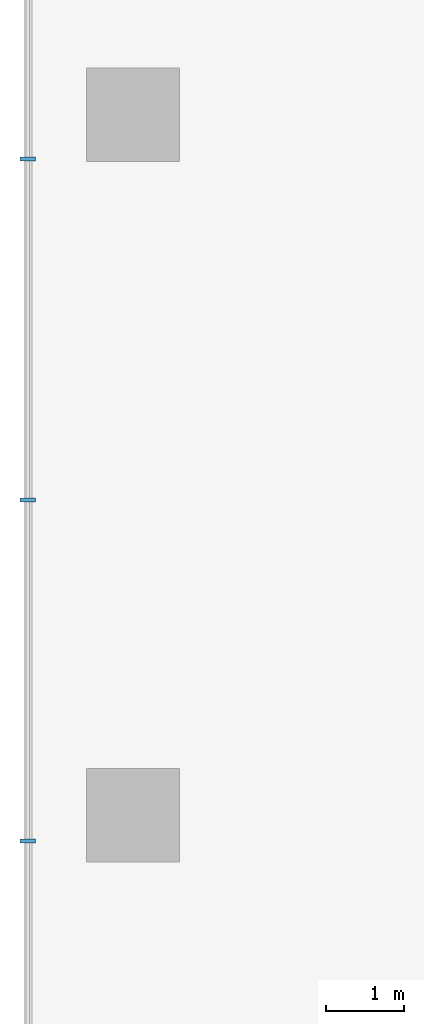
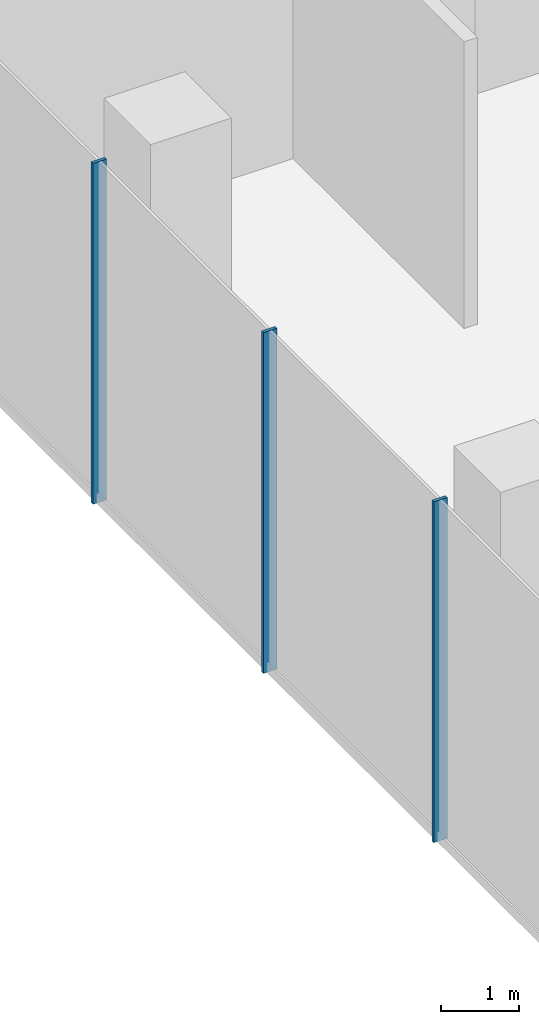
# One storey, part 3 of 36: 3 members, 1 element without a shape of its own.
"""IFC4 building model written with IfcOpenShell, lengths in metres."""

from ifc_helpers import new_model, si_unit, direction, frame, origin, origin_2d, place, context, subcontext, project, spatial, rectangle, extrude, material, layer, layer_set, material_profile, profile_set, type_object, element, aggregate, save


model = new_model("IFC4")

# Units and contexts
model_context = context("Model", 3, precision=1e-05, world=origin(), true_north=direction((0.0, 1.0)))
body_context = subcontext(model_context, "Body", "Model", "MODEL_VIEW")
ifc_project = project(units=[si_unit("LENGTHUNIT", "METRE"), si_unit("AREAUNIT", "SQUARE_METRE"), si_unit("VOLUMEUNIT", "CUBIC_METRE"), si_unit("PLANEANGLEUNIT", "RADIAN"), si_unit("MASSUNIT", "GRAM", prefix="KILO")], contexts=[model_context])

# Site, building, storey
site_placement = place(None, origin())
site = spatial("IfcSite", under=ifc_project, at=site_placement, CompositionType="ELEMENT")
building_placement = place(site_placement, origin())
building = spatial("IfcBuilding", under=site, at=building_placement, Name="Plateau Cross Towers", CompositionType="ELEMENT")
storey_placement = place(building_placement, frame((0.0, 0.0, 21.800048828125)))
storey = spatial("IfcBuildingStorey", under=building, at=storey_placement, Name="L04", CompositionType="ELEMENT", Elevation=21.800048828125)

# Curtain wall, members
ifc_material_1 = material(Name="Dark low-iron laminated glass", Category="glass")
ifc_layer = layer(ifc_material_1, 0.300048828125)
ifc_layer_set = layer_set([ifc_layer], Name="Dark low-iron laminated glass")
curtain_wall_type = type_object("IfcCurtainWallType", Name="Curtain wall structural silicone CW-C", PredefinedType="NOTDEFINED", material=ifc_layer_set)
curtain_wall_placement = place(storey_placement, origin())
curtain_wall = element("IfcCurtainWall", 1, at=curtain_wall_placement, inside=storey, type_object=curtain_wall_type, Name="ENV/P/L04/P-58_568", PredefinedType="NOTDEFINED")
ifc_material_2 = material(Name="Black anodised aluminium", Category="aluminium")
ifc_material_profile = material_profile(ifc_material_2, rectangle(XDim=0.050048828125, YDim=0.199951171875, at=origin_2d()), Name="MULLION 50x200")
ifc_profile_set = profile_set([ifc_material_profile], Name="Black anodised aluminium")
member_type = type_object("IfcMemberType", Name="Mullion 50x200 structural silicone", PredefinedType="MULLION", material=ifc_profile_set)
member_1_placement = place(storey_placement, frame((-5.85009765625, 17.429931640625, -0.35009765625), z_axis=(0.0, 0.0, 1.0), x_axis=(0.0, -1.0, 0.0)))
member_1 = element("IfcMember", 2, at=member_1_placement, type_object=member_type, Name="CW-C mullion 10", PredefinedType="MULLION", context=body_context, shape_type="SweptSolid", body=[
    extrude(rectangle(XDim=0.050048828125, YDim=0.199951171875, at=origin_2d()), origin(), (0.0, 0.0, 1.0), 5.35009765625),
])
member_2_placement = place(storey_placement, frame((-5.85009765625, 13.050048828125, -0.35009765625), z_axis=(0.0, 0.0, 1.0), x_axis=(0.0, -1.0, 0.0)))
member_2 = element("IfcMember", 3, at=member_2_placement, type_object=member_type, Name="CW-C mullion 11", PredefinedType="MULLION", context=body_context, shape_type="SweptSolid", body=[
    extrude(rectangle(XDim=0.050048828125, YDim=0.199951171875, at=origin_2d()), origin(), (0.0, 0.0, 1.0), 5.35009765625),
])
member_3_placement = place(storey_placement, frame((-5.85009765625, 8.669921875, -0.35009765625), z_axis=(0.0, 0.0, 1.0), x_axis=(0.0, -1.0, 0.0)))
member_3 = element("IfcMember", 4, at=member_3_placement, type_object=member_type, Name="CW-C mullion 12", PredefinedType="MULLION", context=body_context, shape_type="SweptSolid", body=[
    extrude(rectangle(XDim=0.050048828125, YDim=0.199951171875, at=origin_2d()), origin(), (0.0, 0.0, 1.0), 5.35009765625),
])
aggregate(curtain_wall, [member_1, member_2, member_3])

save(model, "model.ifc")
